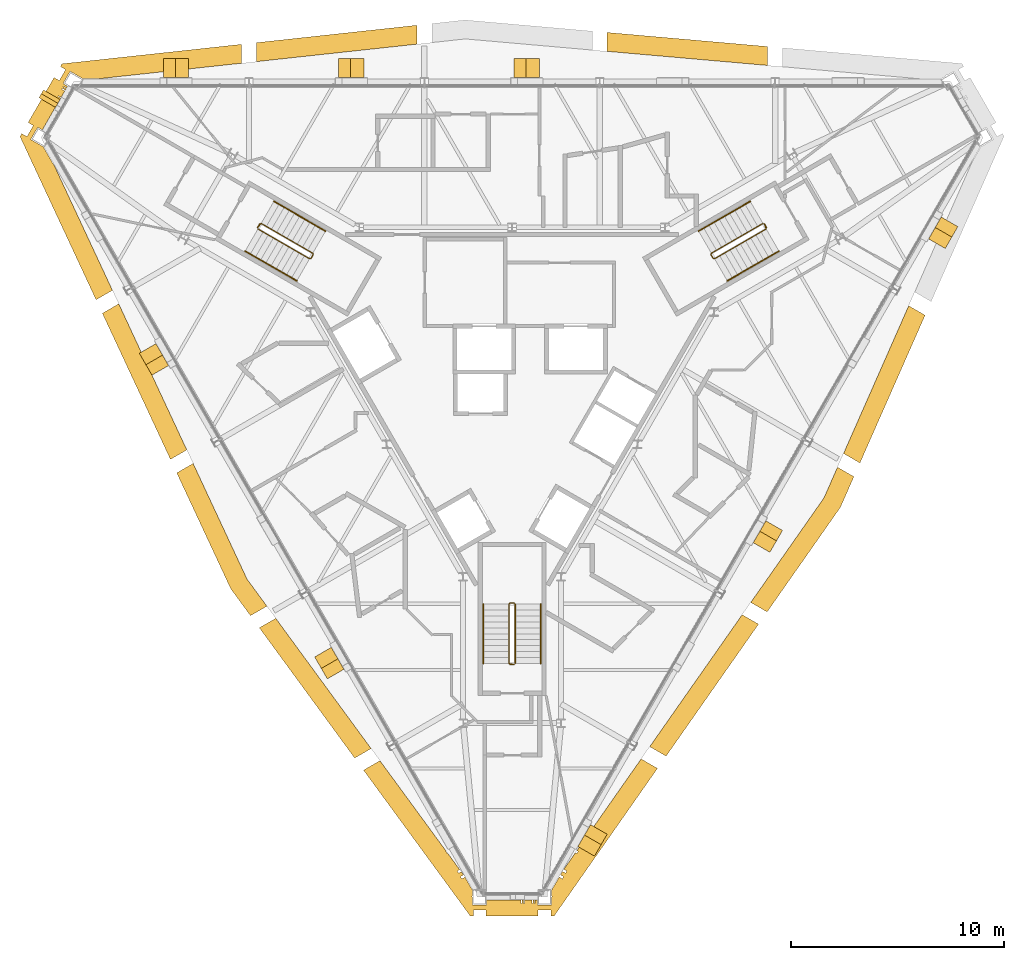
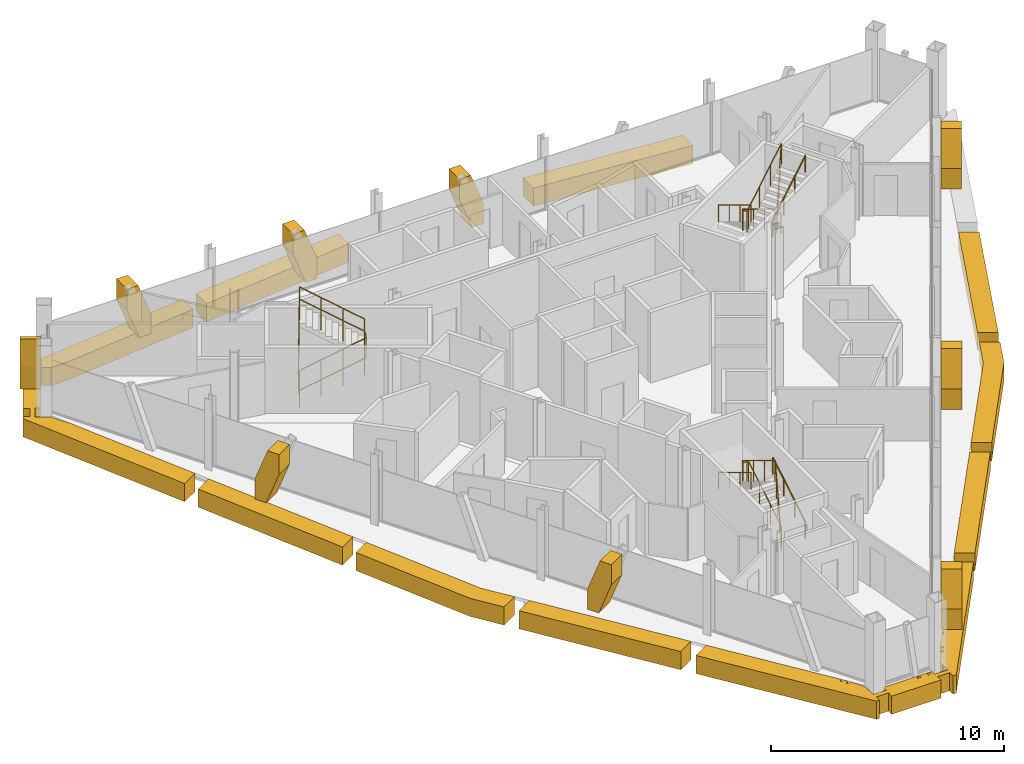
# One storey, part 13 of 14: 19 coverings, 9 railings.
"""IFC4 building model written with IfcOpenShell, lengths in metres."""

from ifc_helpers import new_model, si_unit, direction, frame, origin, origin_2d, place, context, subcontext, project, spatial, polyline, circle, outline, extrude, material, layer, layer_set, type_object, element, save


model = new_model("IFC4")

# Units and contexts
model_context = context("Model", 3, precision=1e-05, world=origin(), true_north=direction((0.0, 1.0)))
body_context = subcontext(model_context, "Body", "Model", "MODEL_VIEW")
ifc_project = project(units=[si_unit("LENGTHUNIT", "METRE"), si_unit("AREAUNIT", "SQUARE_METRE"), si_unit("VOLUMEUNIT", "CUBIC_METRE"), si_unit("PLANEANGLEUNIT", "RADIAN"), si_unit("MASSUNIT", "GRAM", prefix="KILO")], contexts=[model_context])

# Site, building, storey
site_placement = place(None, origin())
site = spatial("IfcSite", under=ifc_project, at=site_placement, CompositionType="ELEMENT")
building_placement = place(site_placement, origin())
building = spatial("IfcBuilding", under=site, at=building_placement, Name="Verrane Prism Tower", CompositionType="ELEMENT")
storey_placement = place(building_placement, frame((0.0, 0.0, 293.60009765625)))
storey = spatial("IfcBuildingStorey", under=building, at=storey_placement, Name="L74", CompositionType="ELEMENT", Elevation=293.60009765625)

# Railings
ifc_material_1 = material(Name="Steel A36 rail and posts, no infill", Category="steel")
railing_type_1 = type_object("IfcRailingType", Name="Stair guard 1100 steel rail and posts", PredefinedType="GUARDRAIL", material=ifc_material_1)
railing_1_placement = place(storey_placement, frame((11.78955078125, 6.97998046875, 0.16796875)))
element("IfcRailing", 1, at=railing_1_placement, inside=storey, type_object=railing_type_1, Name="Stair 1 guard", PredefinedType="GUARDRAIL", context=body_context, shape_type="SweptSolid", body=[
    extrude(circle(Radius=0.02392578125, at=origin_2d()), frame((0.0, 0.0, 1.076171875), z_axis=(-0.742366697286, -0.42866220388, 0.514917859203), x_axis=(0.500049511043, -0.865996816683, 0.0)), (0.0, 0.0, 1.0), 3.266357421875),
    extrude(circle(Radius=0.02392578125, at=origin_2d()), frame((-2.4248046875, -1.400146484375, 2.7578125), z_axis=(-0.259601060869, -0.965715946433, 0.0), x_axis=(0.965715946433, -0.259601060869, 0.0)), (0.0, 0.0, 1.0), 0.070556640625),
    extrude(circle(Radius=0.02392578125, at=origin_2d()), frame((-2.443115234375, -1.46826171875, 2.7578125), z_axis=(0.499158860599, -0.866510491504, 0.0), x_axis=(0.866510491504, 0.499158860599, 0.0)), (0.0, 0.0, 1.0), 0.199951171875),
    extrude(circle(Radius=0.02392578125, at=origin_2d()), frame((-2.34326171875, -1.6416015625, 2.7578125), z_axis=(0.374585375571, -0.100335368456, 0.921747584887), x_axis=(0.258736085224, 0.965948051503, 0.0)), (0.0, 0.0, 1.0), 0.182373046875),
    extrude(circle(Radius=0.02392578125, at=origin_2d()), frame((-2.27490234375, -1.659912109375, 2.92626953125), z_axis=(0.742366697286, 0.42866220388, 0.514917859203), x_axis=(-0.500049511043, 0.865996816683, 0.0)), (0.0, 0.0, 1.0), 3.266357421875),
    extrude(circle(Radius=0.02392578125, at=origin_2d()), frame((0.14990234375, -0.259765625, 4.60791015625), z_axis=(-0.021986835041, 0.065104730107, -0.997636182785), x_axis=(-0.947430582667, -0.3199613899, 0.0)), (0.0, 0.0, 1.0), 3.708740234375),
    extrude(circle(Radius=0.02392578125, at=origin_2d()), frame((0.068359375, -0.018310546875, 0.908203125), z_axis=(0.499158860599, -0.866510491504, 0.0), x_axis=(0.866510491504, 0.499158860599, 0.0)), (0.0, 0.0, 1.0), 0.199951171875),
    extrude(circle(Radius=0.02099609375, at=origin_2d()), origin(), (0.0, 0.0, 1.0), 1.052001953125),
    extrude(circle(Radius=0.02099609375, at=origin_2d()), frame((-0.808349609375, -0.466796875, 0.560546875)), (0.0, 0.0, 1.0), 1.052001953125),
    extrude(circle(Radius=0.02099609375, at=origin_2d()), frame((-1.616455078125, -0.933349609375, 1.121337890625)), (0.0, 0.0, 1.0), 1.052001953125),
    extrude(circle(Radius=0.02099609375, at=origin_2d()), frame((-2.4248046875, -1.400146484375, 1.681884765625)), (0.0, 0.0, 1.0), 1.052001953125),
    extrude(circle(Radius=0.02099609375, at=origin_2d()), frame((-2.443115234375, -1.46826171875, 1.681884765625)), (0.0, 0.0, 1.0), 1.052001953125),
    extrude(circle(Radius=0.02099609375, at=origin_2d()), frame((-2.34326171875, -1.6416015625, 1.681884765625)), (0.0, 0.0, 1.0), 1.052001953125),
    extrude(circle(Radius=0.02099609375, at=origin_2d()), frame((-2.27490234375, -1.659912109375, 1.85009765625)), (0.0, 0.0, 1.0), 1.052001953125),
    extrude(circle(Radius=0.02099609375, at=origin_2d()), frame((-1.466552734375, -1.193115234375, 2.41064453125)), (0.0, 0.0, 1.0), 1.052001953125),
    extrude(circle(Radius=0.02099609375, at=origin_2d()), frame((-0.658447265625, -0.7265625, 2.971435546875)), (0.0, 0.0, 1.0), 1.052001953125),
    extrude(circle(Radius=0.02099609375, at=origin_2d()), frame((0.14990234375, -0.259765625, 3.531982421875)), (0.0, 0.0, 1.0), 1.052001953125),
    extrude(circle(Radius=0.02099609375, at=origin_2d()), frame((0.12939453125, -0.199462890625, 2.60693359375)), (0.0, 0.0, 1.0), 1.052001953125),
    extrude(circle(Radius=0.02099609375, at=origin_2d()), frame((0.109130859375, -0.13916015625, 1.68212890625)), (0.0, 0.0, 1.0), 1.052001953125),
    extrude(circle(Radius=0.02099609375, at=origin_2d()), frame((0.0888671875, -0.07861328125, 0.757080078125)), (0.0, 0.0, 1.0), 1.052001953125),
    extrude(circle(Radius=0.02099609375, at=origin_2d()), frame((0.068359375, -0.018310546875, -0.16796875)), (0.0, 0.0, 1.0), 1.052001953125),
    extrude(circle(Radius=0.02099609375, at=origin_2d()), frame((0.168212890625, -0.191650390625, -0.16796875)), (0.0, 0.0, 1.0), 1.052001953125),
])
railing_2_placement = place(storey_placement, frame((-11.939453125, 6.72021484375, 0.16796875)))
element("IfcRailing", 2, at=railing_2_placement, inside=storey, type_object=railing_type_1, Name="Stair 2 guard", PredefinedType="GUARDRAIL", context=body_context, shape_type="SweptSolid", body=[
    extrude(circle(Radius=0.02392578125, at=origin_2d()), frame((0.0, 0.0, 1.076171875), z_axis=(0.742366697286, -0.42866220388, 0.514917859203), x_axis=(0.500049511043, 0.865996816683, 0.0)), (0.0, 0.0, 1.0), 3.266357421875),
    extrude(circle(Radius=0.02392578125, at=origin_2d()), frame((2.4248046875, -1.400146484375, 2.7578125), z_axis=(0.965948051503, 0.258736085224, 0.0), x_axis=(-0.258736085224, 0.965948051503, 0.0)), (0.0, 0.0, 1.0), 0.07080078125),
    extrude(circle(Radius=0.02392578125, at=origin_2d()), frame((2.4931640625, -1.3818359375, 2.7578125), z_axis=(0.499158860599, 0.866510491504, 0.0), x_axis=(-0.866510491504, 0.499158860599, 0.0)), (0.0, 0.0, 1.0), 0.199951171875),
    extrude(circle(Radius=0.02392578125, at=origin_2d()), frame((2.593017578125, -1.20849609375, 2.7578125), z_axis=(-0.100385596638, 0.373434419493, 0.922209014446), x_axis=(-0.965715946433, -0.259601060869, 0.0)), (0.0, 0.0, 1.0), 0.182373046875),
    extrude(circle(Radius=0.02392578125, at=origin_2d()), frame((2.57470703125, -1.140380859375, 2.92626953125), z_axis=(-0.742366697286, 0.42866220388, 0.514917859203), x_axis=(-0.500049511043, -0.865996816683, 0.0)), (0.0, 0.0, 1.0), 3.266357421875),
    extrude(circle(Radius=0.02392578125, at=origin_2d()), frame((0.14990234375, 0.259765625, 4.60791015625), z_axis=(-0.04535595117, -0.051675503147, -0.99763343973), x_axis=(0.751567565678, -0.659656118156, 0.0)), (0.0, 0.0, 1.0), 3.708740234375),
    extrude(circle(Radius=0.02392578125, at=origin_2d()), frame((-0.018310546875, 0.068115234375, 0.908203125), z_axis=(0.499158860599, 0.866510491504, 0.0), x_axis=(-0.866510491504, 0.499158860599, 0.0)), (0.0, 0.0, 1.0), 0.199951171875),
    extrude(circle(Radius=0.02099609375, at=origin_2d()), origin(), (0.0, 0.0, 1.0), 1.052001953125),
    extrude(circle(Radius=0.02099609375, at=origin_2d()), frame((0.808349609375, -0.466796875, 0.560546875)), (0.0, 0.0, 1.0), 1.052001953125),
    extrude(circle(Radius=0.02099609375, at=origin_2d()), frame((1.616455078125, -0.933349609375, 1.121337890625)), (0.0, 0.0, 1.0), 1.052001953125),
    extrude(circle(Radius=0.02099609375, at=origin_2d()), frame((2.4248046875, -1.400146484375, 1.681884765625)), (0.0, 0.0, 1.0), 1.052001953125),
    extrude(circle(Radius=0.02099609375, at=origin_2d()), frame((2.4931640625, -1.3818359375, 1.681884765625)), (0.0, 0.0, 1.0), 1.052001953125),
    extrude(circle(Radius=0.02099609375, at=origin_2d()), frame((2.593017578125, -1.20849609375, 1.681884765625)), (0.0, 0.0, 1.0), 1.052001953125),
    extrude(circle(Radius=0.02099609375, at=origin_2d()), frame((2.57470703125, -1.140380859375, 1.85009765625)), (0.0, 0.0, 1.0), 1.052001953125),
    extrude(circle(Radius=0.02099609375, at=origin_2d()), frame((1.766357421875, -0.673583984375, 2.41064453125)), (0.0, 0.0, 1.0), 1.052001953125),
    extrude(circle(Radius=0.02099609375, at=origin_2d()), frame((0.958251953125, -0.20703125, 2.971435546875)), (0.0, 0.0, 1.0), 1.052001953125),
    extrude(circle(Radius=0.02099609375, at=origin_2d()), frame((0.14990234375, 0.259765625, 3.531982421875)), (0.0, 0.0, 1.0), 1.052001953125),
    extrude(circle(Radius=0.02099609375, at=origin_2d()), frame((0.10791015625, 0.2119140625, 2.60693359375)), (0.0, 0.0, 1.0), 1.052001953125),
    extrude(circle(Radius=0.02099609375, at=origin_2d()), frame((0.06591796875, 0.1640625, 1.68212890625)), (0.0, 0.0, 1.0), 1.052001953125),
    extrude(circle(Radius=0.02099609375, at=origin_2d()), frame((0.023681640625, 0.115966796875, 0.757080078125)), (0.0, 0.0, 1.0), 1.052001953125),
    extrude(circle(Radius=0.02099609375, at=origin_2d()), frame((-0.018310546875, 0.068115234375, -0.16796875)), (0.0, 0.0, 1.0), 1.052001953125),
    extrude(circle(Radius=0.02099609375, at=origin_2d()), frame((0.08154296875, 0.241455078125, -0.16796875)), (0.0, 0.0, 1.0), 1.052001953125),
])
railing_3_placement = place(storey_placement, frame((0.14990234375, -13.699951171875, 0.16796875)))
element("IfcRailing", 3, at=railing_3_placement, inside=storey, type_object=railing_type_1, Name="Stair 3 guard", PredefinedType="GUARDRAIL", context=body_context, shape_type="SweptSolid", body=[
    extrude(circle(Radius=0.02392578125, at=origin_2d()), frame((0.0, 0.0, 1.076171875), z_axis=(0.0, 0.857242210791, 0.514913383045), x_axis=(-1.0, 0.0, 0.0)), (0.0, 0.0, 1.0), 3.266357421875),
    extrude(circle(Radius=0.02392578125, at=origin_2d()), frame((0.0, 2.800048828125, 2.7578125), z_axis=(-0.707106781187, 0.707106781187, 0.0), x_axis=(-0.707106781187, -0.707106781187, 0.0)), (0.0, 0.0, 1.0), 0.0703125),
    extrude(circle(Radius=0.02392578125, at=origin_2d()), frame((-0.0498046875, 2.849853515625, 2.7578125), z_axis=(-1.0, 0.0, 0.0), x_axis=(0.0, -1.0, 0.0)), (0.0, 0.0, 1.0), 0.2001953125),
    extrude(circle(Radius=0.02392578125, at=origin_2d()), frame((-0.25, 2.849853515625, 2.7578125), z_axis=(-0.273106073848, -0.273106073848, 0.922402376869), x_axis=(0.707106781187, -0.707106781187, 0.0)), (0.0, 0.0, 1.0), 0.182373046875),
    extrude(circle(Radius=0.02392578125, at=origin_2d()), frame((-0.2998046875, 2.800048828125, 2.92626953125), z_axis=(0.0, -0.857242210791, 0.514913383045), x_axis=(1.0, 0.0, 0.0)), (0.0, 0.0, 1.0), 3.266357421875),
    extrude(circle(Radius=0.02392578125, at=origin_2d()), frame((-0.2998046875, 0.0, 4.60791015625), z_axis=(0.067408604812, -0.013494886706, -0.997634185476), x_axis=(0.196300278283, 0.98054382908, 0.0)), (0.0, 0.0, 1.0), 3.708740234375),
    extrude(circle(Radius=0.02392578125, at=origin_2d()), frame((-0.0498046875, -0.050048828125, 0.908203125), z_axis=(-1.0, 0.0, 0.0), x_axis=(0.0, -1.0, 0.0)), (0.0, 0.0, 1.0), 0.2001953125),
    extrude(circle(Radius=0.02099609375, at=origin_2d()), origin(), (0.0, 0.0, 1.0), 1.052001953125),
    extrude(circle(Radius=0.02099609375, at=origin_2d()), frame((0.0, 0.933349609375, 0.560546875)), (0.0, 0.0, 1.0), 1.052001953125),
    extrude(circle(Radius=0.02099609375, at=origin_2d()), frame((0.0, 1.86669921875, 1.121337890625)), (0.0, 0.0, 1.0), 1.052001953125),
    extrude(circle(Radius=0.02099609375, at=origin_2d()), frame((0.0, 2.800048828125, 1.681884765625)), (0.0, 0.0, 1.0), 1.052001953125),
    extrude(circle(Radius=0.02099609375, at=origin_2d()), frame((-0.0498046875, 2.849853515625, 1.681884765625)), (0.0, 0.0, 1.0), 1.052001953125),
    extrude(circle(Radius=0.02099609375, at=origin_2d()), frame((-0.25, 2.849853515625, 1.681884765625)), (0.0, 0.0, 1.0), 1.052001953125),
    extrude(circle(Radius=0.02099609375, at=origin_2d()), frame((-0.2998046875, 2.800048828125, 1.85009765625)), (0.0, 0.0, 1.0), 1.052001953125),
    extrude(circle(Radius=0.02099609375, at=origin_2d()), frame((-0.2998046875, 1.86669921875, 2.41064453125)), (0.0, 0.0, 1.0), 1.052001953125),
    extrude(circle(Radius=0.02099609375, at=origin_2d()), frame((-0.2998046875, 0.933349609375, 2.971435546875)), (0.0, 0.0, 1.0), 1.052001953125),
    extrude(circle(Radius=0.02099609375, at=origin_2d()), frame((-0.2998046875, 0.0, 3.531982421875)), (0.0, 0.0, 1.0), 1.052001953125),
    extrude(circle(Radius=0.02099609375, at=origin_2d()), frame((-0.2373046875, -0.012451171875, 2.60693359375)), (0.0, 0.0, 1.0), 1.052001953125),
    extrude(circle(Radius=0.02099609375, at=origin_2d()), frame((-0.1748046875, -0.02490234375, 1.68212890625)), (0.0, 0.0, 1.0), 1.052001953125),
    extrude(circle(Radius=0.02099609375, at=origin_2d()), frame((-0.1123046875, -0.03759765625, 0.757080078125)), (0.0, 0.0, 1.0), 1.052001953125),
    extrude(circle(Radius=0.02099609375, at=origin_2d()), frame((-0.0498046875, -0.050048828125, -0.16796875)), (0.0, 0.0, 1.0), 1.052001953125),
    extrude(circle(Radius=0.02099609375, at=origin_2d()), frame((-0.25, -0.050048828125, -0.16796875)), (0.0, 0.0, 1.0), 1.052001953125),
])
ifc_material_2 = material(Name="Steel A36 tube", Category="steel")
railing_type_2 = type_object("IfcRailingType", Name="Stair handrail 900 steel tube", PredefinedType="HANDRAIL", material=ifc_material_2)
railing_4_placement = place(storey_placement, frame((11.189453125, 8.01904296875, 0.16796875)))
element("IfcRailing", 4, at=railing_4_placement, inside=storey, type_object=railing_type_2, Name="Stair 1 handrail", PredefinedType="HANDRAIL", context=body_context, shape_type="SweptSolid", body=[
    extrude(circle(Radius=0.02392578125, at=origin_2d()), frame((0.0, 0.0, 0.8759765625), z_axis=(-0.742390482028, -0.42860119049, 0.514934356695), x_axis=(0.49998411664, -0.866034573852, 0.0)), (0.0, 0.0, 1.0), 3.26611328125),
    extrude(circle(Radius=0.02099609375, at=origin_2d()), origin(), (0.0, 0.0, 1.0), 0.851806640625),
    extrude(circle(Radius=0.02099609375, at=origin_2d()), frame((-0.808349609375, -0.466552734375, 0.560546875)), (0.0, 0.0, 1.0), 0.851806640625),
    extrude(circle(Radius=0.02099609375, at=origin_2d()), frame((-1.616455078125, -0.933349609375, 1.121337890625)), (0.0, 0.0, 1.0), 0.851806640625),
    extrude(circle(Radius=0.02099609375, at=origin_2d()), frame((-2.4248046875, -1.39990234375, 1.681884765625)), (0.0, 0.0, 1.0), 0.851806640625),
])
railing_5_placement = place(storey_placement, frame((10.11474609375, 4.28076171875, 2.01806640625)))
element("IfcRailing", 5, at=railing_5_placement, inside=storey, type_object=railing_type_2, Name="Stair 1 handrail", PredefinedType="HANDRAIL", context=body_context, shape_type="SweptSolid", body=[
    extrude(circle(Radius=0.02392578125, at=origin_2d()), frame((0.0, 0.0, 0.8759765625), z_axis=(0.742366697286, 0.42866220388, 0.514917859203), x_axis=(-0.500049511043, 0.865996816683, 0.0)), (0.0, 0.0, 1.0), 3.266357421875),
    extrude(circle(Radius=0.02099609375, at=origin_2d()), origin(), (0.0, 0.0, 1.0), 0.851806640625),
    extrude(circle(Radius=0.02099609375, at=origin_2d()), frame((0.808349609375, 0.466796875, 0.560546875)), (0.0, 0.0, 1.0), 0.851806640625),
    extrude(circle(Radius=0.02099609375, at=origin_2d()), frame((1.616455078125, 0.933349609375, 1.121337890625)), (0.0, 0.0, 1.0), 0.851806640625),
    extrude(circle(Radius=0.02099609375, at=origin_2d()), frame((2.4248046875, 1.400146484375, 1.681884765625)), (0.0, 0.0, 1.0), 0.851806640625),
])
railing_6_placement = place(storey_placement, frame((-12.53955078125, 5.680908203125, 0.16796875)))
element("IfcRailing", 6, at=railing_6_placement, inside=storey, type_object=railing_type_2, Name="Stair 2 handrail", PredefinedType="HANDRAIL", context=body_context, shape_type="SweptSolid", body=[
    extrude(circle(Radius=0.02392578125, at=origin_2d()), frame((0.0, 0.0, 0.8759765625), z_axis=(0.742366697286, -0.42866220388, 0.514917859203), x_axis=(0.500049511043, 0.865996816683, 0.0)), (0.0, 0.0, 1.0), 3.266357421875),
    extrude(circle(Radius=0.02099609375, at=origin_2d()), origin(), (0.0, 0.0, 1.0), 0.851806640625),
    extrude(circle(Radius=0.02099609375, at=origin_2d()), frame((0.808349609375, -0.466796875, 0.560546875)), (0.0, 0.0, 1.0), 0.851806640625),
    extrude(circle(Radius=0.02099609375, at=origin_2d()), frame((1.616455078125, -0.933349609375, 1.121337890625)), (0.0, 0.0, 1.0), 0.851806640625),
    extrude(circle(Radius=0.02099609375, at=origin_2d()), frame((2.4248046875, -1.400146484375, 1.681884765625)), (0.0, 0.0, 1.0), 0.851806640625),
])
railing_7_placement = place(storey_placement, frame((-8.7646484375, 6.619140625, 2.01806640625)))
element("IfcRailing", 7, at=railing_7_placement, inside=storey, type_object=railing_type_2, Name="Stair 2 handrail", PredefinedType="HANDRAIL", context=body_context, shape_type="SweptSolid", body=[
    extrude(circle(Radius=0.02392578125, at=origin_2d()), frame((0.0, 0.0, 0.8759765625), z_axis=(-0.742390482028, 0.42860119049, 0.514934356695), x_axis=(-0.49998411664, -0.866034573852, 0.0)), (0.0, 0.0, 1.0), 3.26611328125),
    extrude(circle(Radius=0.02099609375, at=origin_2d()), origin(), (0.0, 0.0, 1.0), 0.851806640625),
    extrude(circle(Radius=0.02099609375, at=origin_2d()), frame((-0.808349609375, 0.466552734375, 0.560546875)), (0.0, 0.0, 1.0), 0.851806640625),
    extrude(circle(Radius=0.02099609375, at=origin_2d()), frame((-1.616455078125, 0.933349609375, 1.121337890625)), (0.0, 0.0, 1.0), 0.851806640625),
    extrude(circle(Radius=0.02099609375, at=origin_2d()), frame((-2.4248046875, 1.39990234375, 1.681884765625)), (0.0, 0.0, 1.0), 0.851806640625),
])
railing_8_placement = place(storey_placement, frame((1.35009765625, -13.699951171875, 0.16796875)))
element("IfcRailing", 8, at=railing_8_placement, inside=storey, type_object=railing_type_2, Name="Stair 3 handrail", PredefinedType="HANDRAIL", context=body_context, shape_type="SweptSolid", body=[
    extrude(circle(Radius=0.02392578125, at=origin_2d()), frame((0.0, 0.0, 0.8759765625), z_axis=(0.0, 0.857242210791, 0.514913383045), x_axis=(-1.0, 0.0, 0.0)), (0.0, 0.0, 1.0), 3.266357421875),
    extrude(circle(Radius=0.02099609375, at=origin_2d()), origin(), (0.0, 0.0, 1.0), 0.851806640625),
    extrude(circle(Radius=0.02099609375, at=origin_2d()), frame((0.0, 0.933349609375, 0.560546875)), (0.0, 0.0, 1.0), 0.851806640625),
    extrude(circle(Radius=0.02099609375, at=origin_2d()), frame((0.0, 1.86669921875, 1.121337890625)), (0.0, 0.0, 1.0), 0.851806640625),
    extrude(circle(Radius=0.02099609375, at=origin_2d()), frame((0.0, 2.800048828125, 1.681884765625)), (0.0, 0.0, 1.0), 0.851806640625),
])
railing_9_placement = place(storey_placement, frame((-1.35009765625, -10.89990234375, 2.01806640625)))
element("IfcRailing", 9, at=railing_9_placement, inside=storey, type_object=railing_type_2, Name="Stair 3 handrail", PredefinedType="HANDRAIL", context=body_context, shape_type="SweptSolid", body=[
    extrude(circle(Radius=0.02392578125, at=origin_2d()), frame((0.0, 0.0, 0.8759765625), z_axis=(0.0, -0.857242210791, 0.514913383045), x_axis=(1.0, 0.0, 0.0)), (0.0, 0.0, 1.0), 3.266357421875),
    extrude(circle(Radius=0.02099609375, at=origin_2d()), origin(), (0.0, 0.0, 1.0), 0.851806640625),
    extrude(circle(Radius=0.02099609375, at=origin_2d()), frame((0.0, -0.933349609375, 0.560546875)), (0.0, 0.0, 1.0), 0.851806640625),
    extrude(circle(Radius=0.02099609375, at=origin_2d()), frame((0.0, -1.86669921875, 1.121337890625)), (0.0, 0.0, 1.0), 0.851806640625),
    extrude(circle(Radius=0.02099609375, at=origin_2d()), frame((0.0, -2.800048828125, 1.681884765625)), (0.0, 0.0, 1.0), 0.851806640625),
])

# Coverings
ifc_material_3 = material(Name="Warm limestone cladding", Category="masonry")
ifc_layer_1 = layer(ifc_material_3, 0.89990234375)
ifc_layer_set_1 = layer_set([ifc_layer_1], Name="Stone brace fin 900")
covering_type_1 = type_object("IfcCoveringType", Name="Stone brace fin 900", PredefinedType="CLADDING", material=ifc_layer_set_1)
for number, where, z_axis, x_axis, name in (
    (10, (1.27978515625, 14.27783203125, 0.0), (0.0, 0.0, 1.0), (-1.0, 0.0, 0.0), "Stone brace fin N3 L74"),
    (11, (-6.960205078125, 14.27783203125, 0.0), (0.0, 0.0, 1.0), (-1.0, 0.0, 0.0), "Stone brace fin N4 L74"),
    (12, (-15.2001953125, 14.27783203125, 0.0), (0.0, 0.0, 1.0), (-1.0, 0.0, 0.0), "Stone brace fin N5 L74"),
):
    element("IfcCovering", number, at=place(storey_placement, frame(where, z_axis=z_axis, x_axis=x_axis)), inside=storey, type_object=covering_type_1, Name=name, PredefinedType="CLADDING", context=body_context, shape_type="SweptSolid", body=[
        extrude(outline(polyline([(1.186279296875, 2.75), (0.62109375, 2.75), (0.0, 1.076416015625), (0.0, 0.0), (0.560302734375, 0.0), (1.186279296875, 1.686279296875), (1.186279296875, 2.75)])), frame((0.0, 0.449951171875, 0.0), z_axis=(0.0, -1.0, 0.0), x_axis=(1.0, 0.0, 0.0)), (0.0, 0.0, 1.0), 0.89990234375),
    ])
for number, where, z_axis, x_axis, name in (
    (13, (-17.123779296875, 1.105224609375, 0.0), (0.0, 0.0, 1.0), (0.499811481546, -0.86613421761, 0.0), "Stone brace fin SW2 L74"),
    (14, (-8.8837890625, -13.164794921875, 0.0), (0.0, 0.0, 1.0), (0.499811481546, -0.86613421761, 0.0), "Stone brace fin SW4 L74"),
    (15, (3.48388671875, -22.522705078125, 0.0), (0.0, 0.0, 1.0), (0.499900536046, 0.86608282171, 0.0), "Stone brace fin SE1 L74"),
):
    element("IfcCovering", number, at=place(storey_placement, frame(where, z_axis=z_axis, x_axis=x_axis)), inside=storey, type_object=covering_type_1, Name=name, PredefinedType="CLADDING", context=body_context, shape_type="SweptSolid", body=[
        extrude(outline(polyline([(1.18701171875, 2.75), (0.62158203125, 2.75), (0.0, 1.075927734375), (0.0, 0.0), (0.560546875, 0.0), (1.18701171875, 1.686767578125), (1.18701171875, 2.75)])), frame((0.0, 0.449951171875, 0.0), z_axis=(0.0, -1.0, 0.0), x_axis=(1.0, 0.0, 0.0)), (0.0, 0.0, 1.0), 0.89990234375),
    ])
covering_1_placement = place(storey_placement, frame((11.7236328125, -8.24658203125, 0.0), z_axis=(0.0, 0.0, 1.0), x_axis=(0.500346205489, 0.865825429664, 0.0)))
element("IfcCovering", 16, at=covering_1_placement, inside=storey, type_object=covering_type_1, Name="Stone brace fin SE3 L74", PredefinedType="CLADDING", context=body_context, shape_type="SweptSolid", body=[
    extrude(outline(polyline([(1.185546875, 2.75), (0.62060546875, 2.75), (0.0, 1.0771484375), (0.0, 0.0), (0.560302734375, 0.0), (1.185546875, 1.685546875), (1.185546875, 2.75)])), frame((0.0, 0.449951171875, 0.0), z_axis=(0.0, -1.0, 0.0), x_axis=(1.0, 0.0, 0.0)), (0.0, 0.0, 1.0), 0.89990234375),
])
covering_2_placement = place(storey_placement, frame((19.9638671875, 6.027099609375, 0.0), z_axis=(0.0, 0.0, 1.0), x_axis=(0.499811481546, 0.86613421761, 0.0)))
element("IfcCovering", 17, at=covering_2_placement, inside=storey, type_object=covering_type_1, Name="Stone brace fin SE5 L74", PredefinedType="CLADDING", context=body_context, shape_type="SweptSolid", body=[
    extrude(outline(polyline([(1.18701171875, 2.75), (0.62158203125, 2.75), (0.0, 1.075927734375), (0.0, 0.0), (0.560546875, 0.0), (1.18701171875, 1.686767578125), (1.18701171875, 2.75)])), frame((0.0, 0.449951171875, 0.0), z_axis=(0.0, -1.0, 0.0), x_axis=(1.0, 0.0, 0.0)), (0.0, 0.0, 1.0), 0.89990234375),
])
covering_3_placement = place(storey_placement, frame((-21.62646484375, 13.027099609375, 0.0), z_axis=(0.0, 0.0, 1.0), x_axis=(-0.500334953395, -0.865831931965, 0.0)))
element("IfcCovering", 18, at=covering_3_placement, inside=storey, type_object=covering_type_1, Name="Stone brace fin NW1 L74", PredefinedType="CLADDING", context=body_context, shape_type="SweptSolid", body=[
    extrude(outline(polyline([(0.42529296875, 2.75), (0.2041015625, 2.75), (0.0, 1.25732421875), (0.0, 0.0), (0.23828125, 0.0), (0.42529296875, 1.365478515625), (0.42529296875, 2.75)])), frame((0.0, 0.449951171875, 0.0), z_axis=(0.0, -1.0, 0.0), x_axis=(1.0, 0.0, 0.0)), (0.0, 0.0, 1.0), 0.89990234375),
])
ifc_material_4 = material(Name="Warm limestone cladding", Category="masonry")
ifc_layer_2 = layer(ifc_material_4, 0.449951171875)
ifc_layer_set_2 = layer_set([ifc_layer_2], Name="Stone spandrel band 450")
covering_type_2 = type_object("IfcCoveringType", Name="Stone spandrel band 450", PredefinedType="CLADDING", material=ifc_layer_set_2)
covering_4_placement = place(storey_placement, frame((0.0, 0.0, -0.9501953125)))
element("IfcCovering", 19, at=covering_4_placement, inside=storey, type_object=covering_type_2, Name="Stone spandrel band L74 part 2", PredefinedType="CLADDING", context=body_context, shape_type="SweptSolid", body=[
    extrude(outline(polyline([(-18.777099609375, 3.83837890625), (-21.478759765625, 9.6357421875), (-22.027099609375, 10.585205078125), (-22.614013671875, 10.92431640625), (-22.2841796875, 11.495849609375), (-22.07275390625, 11.373779296875), (-21.268798828125, 12.76611328125), (-21.41015625, 12.847900390625), (-21.38671875, 12.888427734375), (-21.245361328125, 12.806640625), (-21.204833984375, 12.876953125), (-21.34619140625, 12.95849609375), (-21.331298828125, 12.984130859375), (-21.190185546875, 12.90234375), (-21.015625, 13.20458984375), (-21.15673828125, 13.2861328125), (-21.13330078125, 13.32666015625), (-20.9921875, 13.2451171875), (-20.95166015625, 13.315185546875), (-21.0927734375, 13.39697265625), (-21.077880859375, 13.42236328125), (-20.93701171875, 13.3408203125), (-20.8837890625, 13.432861328125), (-21.093994140625, 13.55419921875), (-20.76416015625, 14.125732421875), (-20.1708984375, 13.783447265625), (-19.377197265625, 13.783447265625), (-12.712646484375, 14.507568359375), (-12.712646484375, 15.3974609375), (-21.146240234375, 14.481201171875), (-21.220703125, 14.352294921875), (-20.97412109375, 14.209716796875), (-21.274169921875, 13.690185546875), (-21.520751953125, 13.83251953125), (-22.73974609375, 11.72119140625), (-22.4931640625, 11.578857421875), (-22.793212890625, 11.05908203125), (-23.039794921875, 11.20166015625), (-23.1201171875, 11.0625), (-19.54638671875, 3.394287109375), (-18.777099609375, 3.83837890625)])), origin(), (0.0, 0.0, 1.0), 0.9501953125),
])
covering_5_placement = place(storey_placement, frame((0.0, 0.0, -0.9501953125)))
element("IfcCovering", 20, at=covering_5_placement, inside=storey, type_object=covering_type_2, Name="Stone spandrel band L74 part 3", PredefinedType="CLADDING", context=body_context, shape_type="SweptSolid", body=[
    extrude(outline(polyline([(1.9794921875, -25.5537109375), (6.83349609375, -18.624755859375), (6.064208984375, -18.1806640625), (3.22314453125, -22.236572265625), (3.2587890625, -22.257080078125), (3.199951171875, -22.35888671875), (3.1552734375, -22.333251953125), (3.047607421875, -22.487060546875), (3.1064453125, -22.52099609375), (3.04541015625, -22.626953125), (2.97705078125, -22.587646484375), (2.431640625, -23.3662109375), (2.572021484375, -23.447021484375), (2.51318359375, -23.548828125), (2.367919921875, -23.465087890625), (2.2744140625, -23.627197265625), (2.419677734375, -23.7109375), (2.358642578125, -23.81689453125), (2.21337890625, -23.733154296875), (1.85009765625, -24.3623046875), (1.85009765625, -24.611083984375), (1.8876953125, -24.6328125), (1.85009765625, -24.6982421875), (1.85009765625, -25.050048828125), (1.18994140625, -25.050048828125), (1.18994140625, -24.802490234375), (1.08349609375, -24.802490234375), (1.08349609375, -24.969970703125), (1.053955078125, -24.969970703125), (1.053955078125, -24.802490234375), (0.972900390625, -24.802490234375), (0.972900390625, -24.969970703125), (0.92578125, -24.969970703125), (0.92578125, -24.802490234375), (0.57666015625, -24.802490234375), (0.57666015625, -24.969970703125), (0.547119140625, -24.969970703125), (0.547119140625, -24.802490234375), (0.466064453125, -24.802490234375), (0.466064453125, -24.969970703125), (0.419189453125, -24.969970703125), (0.419189453125, -24.802490234375), (-1.18994140625, -24.802490234375), (-1.18994140625, -25.050048828125), (-1.85009765625, -25.050048828125), (-1.85009765625, -24.6982421875), (-1.8876953125, -24.6328125), (-1.85009765625, -24.611083984375), (-1.85009765625, -24.3623046875), (-2.21337890625, -23.733154296875), (-2.358642578125, -23.81689453125), (-2.419677734375, -23.7109375), (-2.279541015625, -23.6298828125), (-2.390625, -23.478271484375), (-2.51318359375, -23.548828125), (-2.572021484375, -23.447021484375), (-2.46044921875, -23.3828125), (-3.02294921875, -22.614013671875), (-3.04541015625, -22.626953125), (-3.1064453125, -22.52099609375), (-3.095703125, -22.514892578125), (-6.20751953125, -18.26318359375), (-6.978271484375, -18.708251953125), (-1.968017578125, -25.5537109375), (-1.819091796875, -25.5537109375), (-1.819091796875, -25.26904296875), (-1.218994140625, -25.26904296875), (-1.218994140625, -25.5537109375), (1.218994140625, -25.5537109375), (1.218994140625, -25.26904296875), (1.819091796875, -25.26904296875), (1.819091796875, -25.5537109375), (1.9794921875, -25.5537109375)])), origin(), (0.0, 0.0, 1.0), 0.9501953125),
])
covering_6_placement = place(storey_placement, frame((0.0, 0.0, -0.9501953125)))
element("IfcCovering", 21, at=covering_6_placement, inside=storey, type_object=covering_type_2, Name="Stone spandrel band L74 part 4", PredefinedType="CLADDING", context=body_context, shape_type="SweptSolid", body=[
    extrude(outline(polyline([(-15.2822265625, -3.66064453125), (-18.480224609375, 3.201416015625), (-19.24951171875, 2.75732421875), (-16.051513671875, -4.104736328125), (-15.2822265625, -3.66064453125)])), origin(), (0.0, 0.0, 1.0), 0.9501953125),
])
covering_7_placement = place(storey_placement, frame((0.0, 0.0, -0.9501953125)))
element("IfcCovering", 22, at=covering_7_placement, inside=storey, type_object=covering_type_2, Name="Stone spandrel band L74 part 5", PredefinedType="CLADDING", context=body_context, shape_type="SweptSolid", body=[
    extrude(outline(polyline([(-12.29052734375, -11.4501953125), (-11.519775390625, -11.005126953125), (-12.454345703125, -9.728515625), (-14.9853515625, -4.297607421875), (-15.754638671875, -4.74169921875), (-13.2197265625, -10.180908203125), (-12.29052734375, -11.4501953125)])), origin(), (0.0, 0.0, 1.0), 0.9501953125),
])
covering_8_placement = place(storey_placement, frame((0.0, 0.0, -0.9501953125)))
element("IfcCovering", 23, at=covering_8_placement, inside=storey, type_object=covering_type_2, Name="Stone spandrel band L74 part 6", PredefinedType="CLADDING", context=body_context, shape_type="SweptSolid", body=[
    extrude(outline(polyline([(-7.394287109375, -18.14013671875), (-6.623291015625, -17.695068359375), (-11.10400390625, -11.573486328125), (-11.874755859375, -12.018310546875), (-7.394287109375, -18.14013671875)])), origin(), (0.0, 0.0, 1.0), 0.9501953125),
])
covering_9_placement = place(storey_placement, frame((0.0, 0.0, -0.9501953125)))
element("IfcCovering", 24, at=covering_9_placement, inside=storey, type_object=covering_type_2, Name="Stone spandrel band L74 part 7", PredefinedType="CLADDING", context=body_context, shape_type="SweptSolid", body=[
    extrude(outline(polyline([(11.58056640625, -11.848388671875), (10.811279296875, -11.404296875), (6.467529296875, -17.60498046875), (7.23681640625, -18.04931640625), (11.58056640625, -11.848388671875)])), origin(), (0.0, 0.0, 1.0), 0.9501953125),
])
covering_10_placement = place(storey_placement, frame((0.0, 0.0, -0.9501953125)))
element("IfcCovering", 25, at=covering_10_placement, inside=storey, type_object=covering_type_2, Name="Stone spandrel band L74 part 8", PredefinedType="CLADDING", context=body_context, shape_type="SweptSolid", body=[
    extrude(outline(polyline([(16.0615234375, -4.918701171875), (15.290771484375, -4.473876953125), (14.652099609375, -5.921630859375), (11.214599609375, -10.828857421875), (11.983642578125, -11.27294921875), (15.4267578125, -6.358154296875), (16.0615234375, -4.918701171875)])), origin(), (0.0, 0.0, 1.0), 0.9501953125),
])
covering_11_placement = place(storey_placement, frame((0.0, 0.0, -0.9501953125)))
element("IfcCovering", 26, at=covering_11_placement, inside=storey, type_object=covering_type_2, Name="Stone spandrel band L74 part 9", PredefinedType="CLADDING", context=body_context, shape_type="SweptSolid", body=[
    extrude(outline(polyline([(18.635986328125, 3.111572265625), (15.57470703125, -3.82958984375), (16.345703125, -4.274658203125), (17.21728515625, -2.29833984375), (19.40673828125, 2.66650390625), (18.635986328125, 3.111572265625)])), origin(), (0.0, 0.0, 1.0), 0.9501953125),
])
covering_12_placement = place(storey_placement, frame((0.0, 0.0, -0.9501953125)))
element("IfcCovering", 27, at=covering_12_placement, inside=storey, type_object=covering_type_2, Name="Stone spandrel band L74 part 10", PredefinedType="CLADDING", context=body_context, shape_type="SweptSolid", body=[
    extrude(outline(polyline([(4.470947265625, 15.065185546875), (12.0126953125, 14.403564453125), (12.0126953125, 15.291748046875), (4.470947265625, 15.953369140625), (4.470947265625, 15.065185546875)])), origin(), (0.0, 0.0, 1.0), 0.9501953125),
])
covering_13_placement = place(storey_placement, frame((0.0, 0.0, -0.9501953125)))
element("IfcCovering", 28, at=covering_13_placement, inside=storey, type_object=covering_type_2, Name="Stone spandrel band L74 part 12", PredefinedType="CLADDING", context=body_context, shape_type="SweptSolid", body=[
    extrude(outline(polyline([(-12.0126953125, 14.58349609375), (-4.470947265625, 15.403076171875), (-4.470947265625, 16.29296875), (-12.0126953125, 15.4736328125), (-12.0126953125, 14.58349609375)])), origin(), (0.0, 0.0, 1.0), 0.9501953125),
])

save(model, "model.ifc")
